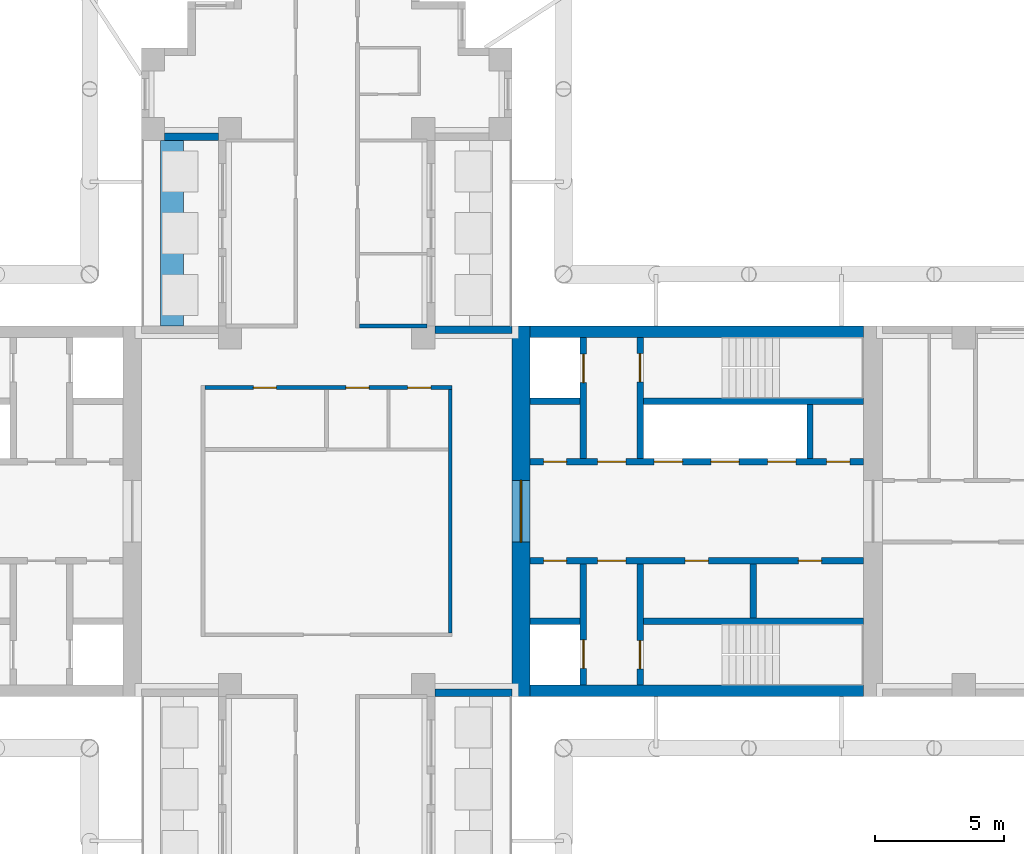
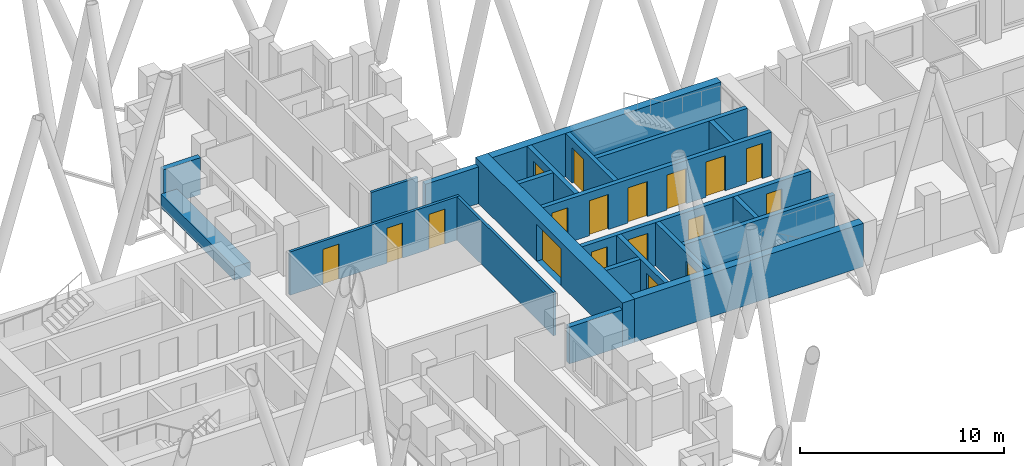
# One storey, part 6 of 12: 22 walls, 18 doors, 18 openings.
"""IFC4 building model written with IfcOpenShell, lengths in metres."""

from ifc_helpers import new_model, si_unit, direction, frame, frame_2d, origin, place, context, subcontext, project, spatial, rectangle, extrude, material, layer, layer_set, type_object, element, fill, save


model = new_model("IFC4")

# Units and contexts
model_context = context("Model", 3, precision=1e-05, world=origin(), true_north=direction((0.0, 1.0)))
body_context = subcontext(model_context, "Body", "Model", "MODEL_VIEW")
ifc_project = project(units=[si_unit("LENGTHUNIT", "METRE"), si_unit("AREAUNIT", "SQUARE_METRE"), si_unit("VOLUMEUNIT", "CUBIC_METRE"), si_unit("PLANEANGLEUNIT", "RADIAN"), si_unit("MASSUNIT", "GRAM", prefix="KILO")], contexts=[model_context])

# Site, building, storey
site_placement = place(None, origin())
site = spatial("IfcSite", under=ifc_project, at=site_placement, CompositionType="ELEMENT")
building_placement = place(site_placement, origin())
building = spatial("IfcBuilding", under=site, at=building_placement, Name="Fustian Cross Tower", CompositionType="ELEMENT")
storey_placement = place(building_placement, frame((0.0, 0.0, 141.300048828125)))
storey = spatial("IfcBuildingStorey", under=building, at=storey_placement, Name="L44", CompositionType="ELEMENT", Elevation=141.300048828125)

# Wall, openings, doors
ifc_material_1 = material(Name="Plasterboard on steel stud", Category="steel")
ifc_layer_1 = layer(ifc_material_1, 0.14990234375)
ifc_layer_set_1 = layer_set([ifc_layer_1], Name="Plasterboard on steel stud")
wall_type_1 = type_object("IfcWallType", Name="COMPARTMENT WALL 150 EI 60", PredefinedType="PARTITIONING", material=ifc_layer_set_1)
wall_1_placement = place(storey_placement, frame((-4.72509765625, 4.800048828125, 0.0), z_axis=(0.0, 0.0, 1.0), x_axis=(1.0, 0.0, 0.0)))
wall_1 = element("IfcWall", 1, at=wall_1_placement, inside=storey, type_object=wall_type_1, Name="Partition 15", PredefinedType="PARTITIONING", context=body_context, shape_type="SweptSolid", body=[
    extrude(rectangle(XDim=9.60009765625, YDim=0.14990234375, at=frame_2d((4.800048828125, 0.0))), origin(), (0.0, 0.0, 1.0), 2.599853515625),
])
opening_1_placement = place(wall_1_placement, frame((7.875, 0.0, 0.0)))
opening_1 = element("IfcOpeningElement", 2, at=opening_1_placement, cuts=wall_1, Name="Opening D20001", PredefinedType="OPENING", context=body_context, shape_type="SweptSolid", body=[
    extrude(rectangle(XDim=0.89990234375, YDim=2.10009765625, at=frame_2d((0.449951171875, 1.050048828125))), frame((0.0, 0.0849609375, 0.0), z_axis=(0.0, -1.0, 0.0), x_axis=(1.0, 0.0, 0.0)), (0.0, 0.0, 1.0), 0.169921875),
])
opening_2_placement = place(wall_1_placement, frame((5.47509765625, 0.0, 0.0)))
opening_2 = element("IfcOpeningElement", 3, at=opening_2_placement, cuts=wall_1, Name="Opening D20002", PredefinedType="OPENING", context=body_context, shape_type="SweptSolid", body=[
    extrude(rectangle(XDim=0.89990234375, YDim=2.10009765625, at=frame_2d((0.449951171875, 1.050048828125))), frame((0.0, 0.0849609375, 0.0), z_axis=(0.0, -1.0, 0.0), x_axis=(1.0, 0.0, 0.0)), (0.0, 0.0, 1.0), 0.169921875),
])
opening_3_placement = place(wall_1_placement, frame((1.875, 0.0, 0.0)))
opening_3 = element("IfcOpeningElement", 4, at=opening_3_placement, cuts=wall_1, Name="Opening D20003", PredefinedType="OPENING", context=body_context, shape_type="SweptSolid", body=[
    extrude(rectangle(XDim=0.89990234375, YDim=2.10009765625, at=frame_2d((0.449951171875, 1.050048828125))), frame((0.0, 0.0849609375, 0.0), z_axis=(0.0, -1.0, 0.0), x_axis=(1.0, 0.0, 0.0)), (0.0, 0.0, 1.0), 0.169921875),
])
ifc_material_2 = material(Name="Timber fire door set", Category="wood")
door_type_1 = type_object("IfcDoorType", Name="FIRE SWING DOOR 900 FD30S", OperationType="SINGLE_SWING_LEFT", PredefinedType="DOOR", material=ifc_material_2)
door_1_placement = place(opening_1_placement, frame((0.89990234375, 0.0, 0.0), z_axis=(0.0, 0.0, 1.0), x_axis=(-1.0, 0.0, 0.0)))
door_1 = element("IfcDoor", 5, at=door_1_placement, inside=storey, type_object=door_type_1, Name="Door D20001", OperationType="SINGLE_SWING_RIGHT", OverallHeight=2.10009765625, OverallWidth=0.89990234375, PredefinedType="DOOR", context=body_context, shape_type="SweptSolid", body=[
    extrude(rectangle(XDim=0.89990234375, YDim=2.10009765625, at=frame_2d((0.449951171875, 1.050048828125))), frame((0.0, 0.02490234375, 0.0), z_axis=(0.0, -1.0, 0.0), x_axis=(1.0, 0.0, 0.0)), (0.0, 0.0, 1.0), 0.050048828125),
])
fill(opening_1, door_1)
door_2_placement = place(opening_2_placement, frame((0.89990234375, 0.0, 0.0), z_axis=(0.0, 0.0, 1.0), x_axis=(-1.0, 0.0, 0.0)))
door_2 = element("IfcDoor", 6, at=door_2_placement, inside=storey, type_object=door_type_1, Name="Door D20002", OperationType="SINGLE_SWING_RIGHT", OverallHeight=2.10009765625, OverallWidth=0.89990234375, PredefinedType="DOOR", context=body_context, shape_type="SweptSolid", body=[
    extrude(rectangle(XDim=0.89990234375, YDim=2.10009765625, at=frame_2d((0.449951171875, 1.050048828125))), frame((0.0, 0.02490234375, 0.0), z_axis=(0.0, -1.0, 0.0), x_axis=(1.0, 0.0, 0.0)), (0.0, 0.0, 1.0), 0.050048828125),
])
fill(opening_2, door_2)
door_3_placement = place(opening_3_placement, frame((0.89990234375, 0.0, 0.0), z_axis=(0.0, 0.0, 1.0), x_axis=(-1.0, 0.0, 0.0)))
door_3 = element("IfcDoor", 7, at=door_3_placement, inside=storey, type_object=door_type_1, Name="Door D20003", OperationType="SINGLE_SWING_RIGHT", OverallHeight=2.10009765625, OverallWidth=0.89990234375, PredefinedType="DOOR", context=body_context, shape_type="SweptSolid", body=[
    extrude(rectangle(XDim=0.89990234375, YDim=2.10009765625, at=frame_2d((0.449951171875, 1.050048828125))), frame((0.0, 0.02490234375, 0.0), z_axis=(0.0, -1.0, 0.0), x_axis=(1.0, 0.0, 0.0)), (0.0, 0.0, 1.0), 0.050048828125),
])
fill(opening_3, door_3)

# Walls
wall_2_placement = place(storey_placement, frame((1.27490234375, 7.199951171875, 0.0), z_axis=(0.0, 0.0, 1.0), x_axis=(1.0, 0.0, 0.0)))
element("IfcWall", 8, at=wall_2_placement, inside=storey, type_object=wall_type_1, Name="Partition 28", PredefinedType="PARTITIONING", context=body_context, shape_type="SweptSolid", body=[
    extrude(rectangle(XDim=2.625, YDim=0.14990234375, at=frame_2d((1.3125, 0.0))), origin(), (0.0, 0.0, 1.0), 2.599853515625),
])
wall_3_placement = place(storey_placement, frame((4.800048828125, -4.72509765625, 0.0), z_axis=(0.0, 0.0, 1.0), x_axis=(0.0, 1.0, 0.0)))
element("IfcWall", 9, at=wall_3_placement, inside=storey, type_object=wall_type_1, Name="Partition 35", PredefinedType="PARTITIONING", context=body_context, shape_type="SweptSolid", body=[
    extrude(rectangle(XDim=9.4501953125, YDim=0.14990234375, at=frame_2d((4.72509765625, 0.0))), origin(), (0.0, 0.0, 1.0), 2.599853515625),
])

# Wall, opening, door
ifc_material_3 = material(Name="Concrete C60/75", Category="concrete")
ifc_layer_2 = layer(ifc_material_3, 0.699951171875)
ifc_layer_set_2 = layer_set([ifc_layer_2], Name="Concrete C60/75")
wall_type_2 = type_object("IfcWallType", Name="CORE END WALL 700 C60/75", PredefinedType="SHEAR", material=ifc_layer_set_2)
wall_4_placement = place(storey_placement, frame((7.550048828125, -7.199951171875, 0.0), z_axis=(0.0, 0.0, 1.0), x_axis=(0.0, 1.0, 0.0)))
wall_4 = element("IfcWall", 10, at=wall_4_placement, inside=storey, type_object=wall_type_2, Name="Core end wall", PredefinedType="SHEAR", context=body_context, shape_type="SweptSolid", body=[
    extrude(rectangle(XDim=14.39990234375, YDim=0.699951171875, at=frame_2d((7.199951171875, 0.0))), origin(), (0.0, 0.0, 1.0), 2.599853515625),
])
opening_4_placement = place(wall_4_placement, frame((6.0, 0.0, 0.0)))
opening_4 = element("IfcOpeningElement", 11, at=opening_4_placement, cuts=wall_4, Name="Opening CD-18-12", PredefinedType="OPENING", context=body_context, shape_type="SweptSolid", body=[
    extrude(rectangle(XDim=2.39990234375, YDim=2.199951171875, at=frame_2d((1.199951171875, 1.10009765625))), frame((0.0, 0.35986328125, 0.0), z_axis=(0.0, -1.0, 0.0), x_axis=(1.0, 0.0, 0.0)), (0.0, 0.0, 1.0), 0.719970703125),
])
ifc_material_4 = material(Name="Steel", Category="steel")
door_type_2 = type_object("IfcDoorType", Name="FIRE DOOR FD30S DOUBLE 2400X2200", OperationType="DOUBLE_DOOR_DOUBLE_SWING", PredefinedType="DOOR", material=ifc_material_4)
door_4_placement = place(opening_4_placement, origin())
door_4 = element("IfcDoor", 12, at=door_4_placement, inside=storey, type_object=door_type_2, Name="Core door CD-18-12", OperationType="DOUBLE_DOOR_DOUBLE_SWING", OverallHeight=2.199951171875, OverallWidth=2.39990234375, PredefinedType="DOOR", context=body_context, shape_type="SweptSolid", body=[
    extrude(rectangle(XDim=2.39990234375, YDim=2.199951171875, at=frame_2d((1.199951171875, 1.10009765625))), frame((0.0, 0.02490234375, 0.0), z_axis=(0.0, -1.0, 0.0), x_axis=(1.0, 0.0, 0.0)), (0.0, 0.0, 1.0), 0.050048828125),
])
fill(opening_4, door_4)

# Walls
ifc_material_5 = material(Name="Concrete C60/75", Category="concrete")
ifc_layer_3 = layer(ifc_material_5, 0.449951171875)
ifc_layer_set_3 = layer_set([ifc_layer_3], Name="Concrete C60/75")
wall_type_3 = type_object("IfcWallType", Name="CORE FACADE WALL 450 C60/75", PredefinedType="SHEAR", material=ifc_layer_set_3)
for number, where, z_axis, x_axis, name in (
    (13, (7.89990234375, 6.97509765625, 0.0), (0.0, 0.0, 1.0), (1.0, 0.0, 0.0), "Core facade wall"),
    (14, (7.89990234375, -6.97509765625, 0.0), (0.0, 0.0, 1.0), (1.0, 0.0, 0.0), "Core facade wall"),
):
    element("IfcWall", number, at=place(storey_placement, frame(where, z_axis=z_axis, x_axis=x_axis)), inside=storey, type_object=wall_type_3, Name=name, PredefinedType="SHEAR", context=body_context, shape_type="SweptSolid", body=[
        extrude(rectangle(XDim=12.9501953125, YDim=0.449951171875, at=frame_2d((6.47509765625, 0.0))), origin(), (0.0, 0.0, 1.0), 2.599853515625),
    ])

# Wall, openings, doors
ifc_material_6 = material(Name="Concrete C50/60", Category="concrete")
ifc_layer_4 = layer(ifc_material_6, 0.25)
ifc_layer_set_4 = layer_set([ifc_layer_4], Name="Concrete C50/60")
wall_type_4 = type_object("IfcWallType", Name="CORE LOBBY WALL 250 C50/60", PredefinedType="SHEAR", material=ifc_layer_set_4)
wall_5_placement = place(storey_placement, frame((7.89990234375, 1.925048828125, 0.0), z_axis=(0.0, 0.0, 1.0), x_axis=(1.0, 0.0, 0.0)))
wall_5 = element("IfcWall", 15, at=wall_5_placement, inside=storey, type_object=wall_type_4, Name="Core lobby wall", PredefinedType="SHEAR", context=body_context, shape_type="SweptSolid", body=[
    extrude(rectangle(XDim=12.9501953125, YDim=0.25, at=frame_2d((6.47509765625, 0.0))), origin(), (0.0, 0.0, 1.0), 2.599853515625),
])
opening_5_placement = place(wall_5_placement, frame((4.824951171875, 0.0, 0.0)))
opening_5 = element("IfcOpeningElement", 16, at=opening_5_placement, cuts=wall_5, Name="Opening LD", PredefinedType="OPENING", context=body_context, shape_type="SweptSolid", body=[
    extrude(rectangle(XDim=1.10009765625, YDim=2.10009765625, at=frame_2d((0.550048828125, 1.050048828125))), frame((0.0, 0.135009765625, 0.0), z_axis=(0.0, -1.0, 0.0), x_axis=(1.0, 0.0, 0.0)), (0.0, 0.0, 1.0), 0.27001953125),
])
opening_6_placement = place(wall_5_placement, frame((7.02490234375, 0.0, 0.0)))
opening_6 = element("IfcOpeningElement", 17, at=opening_6_placement, cuts=wall_5, Name="Opening LD", PredefinedType="OPENING", context=body_context, shape_type="SweptSolid", body=[
    extrude(rectangle(XDim=1.10009765625, YDim=2.10009765625, at=frame_2d((0.550048828125, 1.050048828125))), frame((0.0, 0.135009765625, 0.0), z_axis=(0.0, -1.0, 0.0), x_axis=(1.0, 0.0, 0.0)), (0.0, 0.0, 1.0), 0.27001953125),
])
opening_7_placement = place(wall_5_placement, frame((9.22509765625, 0.0, 0.0)))
opening_7 = element("IfcOpeningElement", 18, at=opening_7_placement, cuts=wall_5, Name="Opening LD", PredefinedType="OPENING", context=body_context, shape_type="SweptSolid", body=[
    extrude(rectangle(XDim=1.10009765625, YDim=2.10009765625, at=frame_2d((0.550048828125, 1.050048828125))), frame((0.0, 0.135009765625, 0.0), z_axis=(0.0, -1.0, 0.0), x_axis=(1.0, 0.0, 0.0)), (0.0, 0.0, 1.0), 0.27001953125),
])
opening_8_placement = place(wall_5_placement, frame((0.52490234375, 0.0, 0.0)))
opening_8 = element("IfcOpeningElement", 19, at=opening_8_placement, cuts=wall_5, Name="Opening CD-18-08", PredefinedType="OPENING", context=body_context, shape_type="SweptSolid", body=[
    extrude(rectangle(XDim=0.89990234375, YDim=2.10009765625, at=frame_2d((0.449951171875, 1.050048828125))), frame((0.0, 0.135009765625, 0.0), z_axis=(0.0, -1.0, 0.0), x_axis=(1.0, 0.0, 0.0)), (0.0, 0.0, 1.0), 0.27001953125),
])
opening_9_placement = place(wall_5_placement, frame((2.625, 0.0, 0.0)))
opening_9 = element("IfcOpeningElement", 20, at=opening_9_placement, cuts=wall_5, Name="Opening CD-18-10", PredefinedType="OPENING", context=body_context, shape_type="SweptSolid", body=[
    extrude(rectangle(XDim=1.10009765625, YDim=2.10009765625, at=frame_2d((0.550048828125, 1.050048828125))), frame((0.0, 0.135009765625, 0.0), z_axis=(0.0, -1.0, 0.0), x_axis=(1.0, 0.0, 0.0)), (0.0, 0.0, 1.0), 0.27001953125),
])
opening_10_placement = place(wall_5_placement, frame((11.52490234375, 0.0, 0.0)))
opening_10 = element("IfcOpeningElement", 21, at=opening_10_placement, cuts=wall_5, Name="Opening CD-18-14", PredefinedType="OPENING", context=body_context, shape_type="SweptSolid", body=[
    extrude(rectangle(XDim=0.89990234375, YDim=2.10009765625, at=frame_2d((0.449951171875, 1.050048828125))), frame((0.0, 0.135009765625, 0.0), z_axis=(0.0, -1.0, 0.0), x_axis=(1.0, 0.0, 0.0)), (0.0, 0.0, 1.0), 0.27001953125),
])
ifc_material_7 = material(Name="Steel", Category="steel")
door_type_3 = type_object("IfcDoorType", Name="FIRE DOOR FD30S 900X2100", OperationType="SINGLE_SWING_LEFT", PredefinedType="DOOR", material=ifc_material_7)
door_5_placement = place(opening_10_placement, origin())
door_5 = element("IfcDoor", 22, at=door_5_placement, inside=storey, type_object=door_type_3, Name="Core door CD-18-14", OperationType="SINGLE_SWING_LEFT", OverallHeight=2.10009765625, OverallWidth=0.89990234375, PredefinedType="DOOR", context=body_context, shape_type="SweptSolid", body=[
    extrude(rectangle(XDim=0.89990234375, YDim=2.10009765625, at=frame_2d((0.449951171875, 1.050048828125))), frame((0.0, 0.02490234375, 0.0), z_axis=(0.0, -1.0, 0.0), x_axis=(1.0, 0.0, 0.0)), (0.0, 0.0, 1.0), 0.050048828125),
])
fill(opening_10, door_5)
ifc_material_8 = material(Name="Steel", Category="steel")
door_type_4 = type_object("IfcDoorType", Name="FIRE DOOR FD60S 1100X2100", OperationType="SINGLE_SWING_LEFT", PredefinedType="DOOR", material=ifc_material_8)
door_6_placement = place(opening_9_placement, frame((1.10009765625, 0.0, 0.0), z_axis=(0.0, 0.0, 1.0), x_axis=(-1.0, 0.0, 0.0)))
door_6 = element("IfcDoor", 23, at=door_6_placement, inside=storey, type_object=door_type_4, Name="Core door CD-18-10", OperationType="SINGLE_SWING_RIGHT", OverallHeight=2.10009765625, OverallWidth=1.10009765625, PredefinedType="DOOR", context=body_context, shape_type="SweptSolid", body=[
    extrude(rectangle(XDim=1.10009765625, YDim=2.10009765625, at=frame_2d((0.550048828125, 1.050048828125))), frame((0.0, 0.02490234375, 0.0), z_axis=(0.0, -1.0, 0.0), x_axis=(1.0, 0.0, 0.0)), (0.0, 0.0, 1.0), 0.050048828125),
])
fill(opening_9, door_6)
ifc_material_9 = material(Name="Steel", Category="steel")
door_type_5 = type_object("IfcDoorType", Name="FIRE DOOR FD60S 900X2100", OperationType="SINGLE_SWING_LEFT", PredefinedType="DOOR", material=ifc_material_9)
door_7_placement = place(opening_8_placement, origin())
door_7 = element("IfcDoor", 24, at=door_7_placement, inside=storey, type_object=door_type_5, Name="Core door CD-18-08", OperationType="SINGLE_SWING_LEFT", OverallHeight=2.10009765625, OverallWidth=0.89990234375, PredefinedType="DOOR", context=body_context, shape_type="SweptSolid", body=[
    extrude(rectangle(XDim=0.89990234375, YDim=2.10009765625, at=frame_2d((0.449951171875, 1.050048828125))), frame((0.0, 0.02490234375, 0.0), z_axis=(0.0, -1.0, 0.0), x_axis=(1.0, 0.0, 0.0)), (0.0, 0.0, 1.0), 0.050048828125),
])
fill(opening_8, door_7)
ifc_material_10 = material(Name="Stainless steel", Category="steel")
door_type_6 = type_object("IfcDoorType", Name="LIFT LANDING DOOR 1100X2100", OperationType="SLIDING_TO_LEFT", PredefinedType="DOOR", material=ifc_material_10)
door_8_placement = place(opening_5_placement, origin())
door_8 = element("IfcDoor", 25, at=door_8_placement, inside=storey, type_object=door_type_6, Name="Landing door HR1", OperationType="SLIDING_TO_LEFT", OverallHeight=2.10009765625, OverallWidth=1.10009765625, PredefinedType="DOOR", context=body_context, shape_type="SweptSolid", body=[
    extrude(rectangle(XDim=1.10009765625, YDim=2.10009765625, at=frame_2d((0.550048828125, 1.050048828125))), frame((0.0, 0.02490234375, 0.0), z_axis=(0.0, -1.0, 0.0), x_axis=(1.0, 0.0, 0.0)), (0.0, 0.0, 1.0), 0.050048828125),
])
fill(opening_5, door_8)
door_9_placement = place(opening_6_placement, origin())
door_9 = element("IfcDoor", 26, at=door_9_placement, inside=storey, type_object=door_type_6, Name="Landing door HR2", OperationType="SLIDING_TO_LEFT", OverallHeight=2.10009765625, OverallWidth=1.10009765625, PredefinedType="DOOR", context=body_context, shape_type="SweptSolid", body=[
    extrude(rectangle(XDim=1.10009765625, YDim=2.10009765625, at=frame_2d((0.550048828125, 1.050048828125))), frame((0.0, 0.02490234375, 0.0), z_axis=(0.0, -1.0, 0.0), x_axis=(1.0, 0.0, 0.0)), (0.0, 0.0, 1.0), 0.050048828125),
])
fill(opening_6, door_9)
door_10_placement = place(opening_7_placement, origin())
door_10 = element("IfcDoor", 27, at=door_10_placement, inside=storey, type_object=door_type_6, Name="Landing door HR3", OperationType="SLIDING_TO_LEFT", OverallHeight=2.10009765625, OverallWidth=1.10009765625, PredefinedType="DOOR", context=body_context, shape_type="SweptSolid", body=[
    extrude(rectangle(XDim=1.10009765625, YDim=2.10009765625, at=frame_2d((0.550048828125, 1.050048828125))), frame((0.0, 0.02490234375, 0.0), z_axis=(0.0, -1.0, 0.0), x_axis=(1.0, 0.0, 0.0)), (0.0, 0.0, 1.0), 0.050048828125),
])
fill(opening_7, door_10)

wall_6_placement = place(storey_placement, frame((7.89990234375, -1.925048828125, 0.0), z_axis=(0.0, 0.0, 1.0), x_axis=(1.0, 0.0, 0.0)))
wall_6 = element("IfcWall", 28, at=wall_6_placement, inside=storey, type_object=wall_type_4, Name="Core lobby wall", PredefinedType="SHEAR", context=body_context, shape_type="SweptSolid", body=[
    extrude(rectangle(XDim=12.9501953125, YDim=0.25, at=frame_2d((6.47509765625, 0.0))), origin(), (0.0, 0.0, 1.0), 2.599853515625),
])
opening_11_placement = place(wall_6_placement, frame((0.52490234375, 0.0, 0.0)))
opening_11 = element("IfcOpeningElement", 29, at=opening_11_placement, cuts=wall_6, Name="Opening CD-18-09", PredefinedType="OPENING", context=body_context, shape_type="SweptSolid", body=[
    extrude(rectangle(XDim=0.89990234375, YDim=2.10009765625, at=frame_2d((0.449951171875, 1.050048828125))), frame((0.0, 0.135009765625, 0.0), z_axis=(0.0, -1.0, 0.0), x_axis=(1.0, 0.0, 0.0)), (0.0, 0.0, 1.0), 0.27001953125),
])
opening_12_placement = place(wall_6_placement, frame((2.625, 0.0, 0.0)))
opening_12 = element("IfcOpeningElement", 30, at=opening_12_placement, cuts=wall_6, Name="Opening CD-18-11", PredefinedType="OPENING", context=body_context, shape_type="SweptSolid", body=[
    extrude(rectangle(XDim=1.10009765625, YDim=2.10009765625, at=frame_2d((0.550048828125, 1.050048828125))), frame((0.0, 0.135009765625, 0.0), z_axis=(0.0, -1.0, 0.0), x_axis=(1.0, 0.0, 0.0)), (0.0, 0.0, 1.0), 0.27001953125),
])
opening_13_placement = place(wall_6_placement, frame((6.02490234375, 0.0, 0.0)))
opening_13 = element("IfcOpeningElement", 31, at=opening_13_placement, cuts=wall_6, Name="Opening CD-18-15", PredefinedType="OPENING", context=body_context, shape_type="SweptSolid", body=[
    extrude(rectangle(XDim=0.89990234375, YDim=2.10009765625, at=frame_2d((0.449951171875, 1.050048828125))), frame((0.0, 0.135009765625, 0.0), z_axis=(0.0, -1.0, 0.0), x_axis=(1.0, 0.0, 0.0)), (0.0, 0.0, 1.0), 0.27001953125),
])
opening_14_placement = place(wall_6_placement, frame((10.425048828125, 0.0, 0.0)))
opening_14 = element("IfcOpeningElement", 32, at=opening_14_placement, cuts=wall_6, Name="Opening CD-18-16", PredefinedType="OPENING", context=body_context, shape_type="SweptSolid", body=[
    extrude(rectangle(XDim=0.89990234375, YDim=2.10009765625, at=frame_2d((0.449951171875, 1.050048828125))), frame((0.0, 0.135009765625, 0.0), z_axis=(0.0, -1.0, 0.0), x_axis=(1.0, 0.0, 0.0)), (0.0, 0.0, 1.0), 0.27001953125),
])
ifc_material_11 = material(Name="Steel", Category="steel")
door_type_7 = type_object("IfcDoorType", Name="FIRE DOOR FD30S 1100X2100", OperationType="SINGLE_SWING_LEFT", PredefinedType="DOOR", material=ifc_material_11)
door_11_placement = place(opening_12_placement, frame((1.10009765625, 0.0, 0.0), z_axis=(0.0, 0.0, 1.0), x_axis=(-1.0, 0.0, 0.0)))
door_11 = element("IfcDoor", 33, at=door_11_placement, inside=storey, type_object=door_type_7, Name="Core door CD-18-11", OperationType="SINGLE_SWING_RIGHT", OverallHeight=2.10009765625, OverallWidth=1.10009765625, PredefinedType="DOOR", context=body_context, shape_type="SweptSolid", body=[
    extrude(rectangle(XDim=1.10009765625, YDim=2.10009765625, at=frame_2d((0.550048828125, 1.050048828125))), frame((0.0, 0.02490234375, 0.0), z_axis=(0.0, -1.0, 0.0), x_axis=(1.0, 0.0, 0.0)), (0.0, 0.0, 1.0), 0.050048828125),
])
fill(opening_12, door_11)
door_12_placement = place(opening_11_placement, frame((0.89990234375, 0.0, 0.0), z_axis=(0.0, 0.0, 1.0), x_axis=(-1.0, 0.0, 0.0)))
door_12 = element("IfcDoor", 34, at=door_12_placement, inside=storey, type_object=door_type_3, Name="Core door CD-18-09", OperationType="SINGLE_SWING_RIGHT", OverallHeight=2.10009765625, OverallWidth=0.89990234375, PredefinedType="DOOR", context=body_context, shape_type="SweptSolid", body=[
    extrude(rectangle(XDim=0.89990234375, YDim=2.10009765625, at=frame_2d((0.449951171875, 1.050048828125))), frame((0.0, 0.02490234375, 0.0), z_axis=(0.0, -1.0, 0.0), x_axis=(1.0, 0.0, 0.0)), (0.0, 0.0, 1.0), 0.050048828125),
])
fill(opening_11, door_12)
door_13_placement = place(opening_13_placement, frame((0.89990234375, 0.0, 0.0), z_axis=(0.0, 0.0, 1.0), x_axis=(-1.0, 0.0, 0.0)))
door_13 = element("IfcDoor", 35, at=door_13_placement, inside=storey, type_object=door_type_3, Name="Core door CD-18-15", OperationType="SINGLE_SWING_LEFT", OverallHeight=2.10009765625, OverallWidth=0.89990234375, PredefinedType="DOOR", context=body_context, shape_type="SweptSolid", body=[
    extrude(rectangle(XDim=0.89990234375, YDim=2.10009765625, at=frame_2d((0.449951171875, 1.050048828125))), frame((0.0, 0.02490234375, 0.0), z_axis=(0.0, -1.0, 0.0), x_axis=(1.0, 0.0, 0.0)), (0.0, 0.0, 1.0), 0.050048828125),
])
fill(opening_13, door_13)
door_14_placement = place(opening_14_placement, frame((0.89990234375, 0.0, 0.0), z_axis=(0.0, 0.0, 1.0), x_axis=(-1.0, 0.0, 0.0)))
door_14 = element("IfcDoor", 36, at=door_14_placement, inside=storey, type_object=door_type_3, Name="Core door CD-18-16", OperationType="SINGLE_SWING_LEFT", OverallHeight=2.10009765625, OverallWidth=0.89990234375, PredefinedType="DOOR", context=body_context, shape_type="SweptSolid", body=[
    extrude(rectangle(XDim=0.89990234375, YDim=2.10009765625, at=frame_2d((0.449951171875, 1.050048828125))), frame((0.0, 0.02490234375, 0.0), z_axis=(0.0, -1.0, 0.0), x_axis=(1.0, 0.0, 0.0)), (0.0, 0.0, 1.0), 0.050048828125),
])
fill(opening_14, door_14)

# Walls
ifc_material_12 = material(Name="Concrete C50/60", Category="concrete")
ifc_layer_5 = layer(ifc_material_12, 0.25)
ifc_layer_set_5 = layer_set([ifc_layer_5], Name="Concrete C50/60")
wall_type_5 = type_object("IfcWallType", Name="CORE SHAFT WALL 250 C50/60", PredefinedType="SHEAR", material=ifc_layer_set_5)
wall_7_placement = place(storey_placement, frame((7.89990234375, 4.27490234375, 0.0), z_axis=(0.0, 0.0, 1.0), x_axis=(1.0, 0.0, 0.0)))
element("IfcWall", 37, at=wall_7_placement, inside=storey, type_object=wall_type_5, Name="Core shaft wall", PredefinedType="SHEAR", context=body_context, shape_type="SweptSolid", body=[
    extrude(rectangle(XDim=1.9501953125, YDim=0.25, at=frame_2d((0.97509765625, 0.0))), origin(), (0.0, 0.0, 1.0), 2.599853515625),
])
wall_8_placement = place(storey_placement, frame((12.300048828125, 4.27490234375, 0.0), z_axis=(0.0, 0.0, 1.0), x_axis=(1.0, 0.0, 0.0)))
element("IfcWall", 38, at=wall_8_placement, inside=storey, type_object=wall_type_5, Name="Core shaft wall", PredefinedType="SHEAR", context=body_context, shape_type="SweptSolid", body=[
    extrude(rectangle(XDim=8.550048828125, YDim=0.25, at=frame_2d((4.27490234375, 0.0))), origin(), (0.0, 0.0, 1.0), 2.599853515625),
])

# Wall, opening, door
wall_9_placement = place(storey_placement, frame((9.97509765625, 2.050048828125, 0.0), z_axis=(0.0, 0.0, 1.0), x_axis=(0.0, 1.0, 0.0)))
wall_9 = element("IfcWall", 39, at=wall_9_placement, inside=storey, type_object=wall_type_5, Name="Core shaft wall", PredefinedType="SHEAR", context=body_context, shape_type="SweptSolid", body=[
    extrude(rectangle(XDim=4.699951171875, YDim=0.25, at=frame_2d((2.35009765625, 0.0))), origin(), (0.0, 0.0, 1.0), 2.599853515625),
])
opening_15_placement = place(wall_9_placement, frame((2.949951171875, 0.0, 0.0)))
opening_15 = element("IfcOpeningElement", 40, at=opening_15_placement, cuts=wall_9, Name="Opening LD", PredefinedType="OPENING", context=body_context, shape_type="SweptSolid", body=[
    extrude(rectangle(XDim=1.10009765625, YDim=2.10009765625, at=frame_2d((0.550048828125, 1.050048828125))), frame((0.0, 0.135009765625, 0.0), z_axis=(0.0, -1.0, 0.0), x_axis=(1.0, 0.0, 0.0)), (0.0, 0.0, 1.0), 0.27001953125),
])
door_15_placement = place(opening_15_placement, origin())
door_15 = element("IfcDoor", 41, at=door_15_placement, inside=storey, type_object=door_type_6, Name="Landing door FL1", OperationType="SLIDING_TO_LEFT", OverallHeight=2.10009765625, OverallWidth=1.10009765625, PredefinedType="DOOR", context=body_context, shape_type="SweptSolid", body=[
    extrude(rectangle(XDim=1.10009765625, YDim=2.10009765625, at=frame_2d((0.550048828125, 1.050048828125))), frame((0.0, 0.02490234375, 0.0), z_axis=(0.0, -1.0, 0.0), x_axis=(1.0, 0.0, 0.0)), (0.0, 0.0, 1.0), 0.050048828125),
])
fill(opening_15, door_15)

wall_10_placement = place(storey_placement, frame((12.175048828125, 2.050048828125, 0.0), z_axis=(0.0, 0.0, 1.0), x_axis=(0.0, 1.0, 0.0)))
wall_10 = element("IfcWall", 42, at=wall_10_placement, inside=storey, type_object=wall_type_5, Name="Core shaft wall", PredefinedType="SHEAR", context=body_context, shape_type="SweptSolid", body=[
    extrude(rectangle(XDim=4.699951171875, YDim=0.25, at=frame_2d((2.35009765625, 0.0))), origin(), (0.0, 0.0, 1.0), 2.599853515625),
])
opening_16_placement = place(wall_10_placement, frame((2.97509765625, 0.0, 0.0)))
opening_16 = element("IfcOpeningElement", 43, at=opening_16_placement, cuts=wall_10, Name="Opening CD-18-06", PredefinedType="OPENING", context=body_context, shape_type="SweptSolid", body=[
    extrude(rectangle(XDim=1.10009765625, YDim=2.10009765625, at=frame_2d((0.550048828125, 1.050048828125))), frame((0.0, 0.135009765625, 0.0), z_axis=(0.0, -1.0, 0.0), x_axis=(1.0, 0.0, 0.0)), (0.0, 0.0, 1.0), 0.27001953125),
])
door_16_placement = place(opening_16_placement, frame((1.10009765625, 0.0, 0.0), z_axis=(0.0, 0.0, 1.0), x_axis=(-1.0, 0.0, 0.0)))
door_16 = element("IfcDoor", 44, at=door_16_placement, inside=storey, type_object=door_type_4, Name="Core door CD-18-06", OperationType="SINGLE_SWING_RIGHT", OverallHeight=2.10009765625, OverallWidth=1.10009765625, PredefinedType="DOOR", context=body_context, shape_type="SweptSolid", body=[
    extrude(rectangle(XDim=1.10009765625, YDim=2.10009765625, at=frame_2d((0.550048828125, 1.050048828125))), frame((0.0, 0.02490234375, 0.0), z_axis=(0.0, -1.0, 0.0), x_axis=(1.0, 0.0, 0.0)), (0.0, 0.0, 1.0), 0.050048828125),
])
fill(opening_16, door_16)

# Walls
wall_11_placement = place(storey_placement, frame((7.89990234375, -4.27490234375, 0.0), z_axis=(0.0, 0.0, 1.0), x_axis=(1.0, 0.0, 0.0)))
element("IfcWall", 45, at=wall_11_placement, inside=storey, type_object=wall_type_5, Name="Core shaft wall", PredefinedType="SHEAR", context=body_context, shape_type="SweptSolid", body=[
    extrude(rectangle(XDim=1.9501953125, YDim=0.25, at=frame_2d((0.97509765625, 0.0))), origin(), (0.0, 0.0, 1.0), 2.599853515625),
])
wall_12_placement = place(storey_placement, frame((12.300048828125, -4.27490234375, 0.0), z_axis=(0.0, 0.0, 1.0), x_axis=(1.0, 0.0, 0.0)))
element("IfcWall", 46, at=wall_12_placement, inside=storey, type_object=wall_type_5, Name="Core shaft wall", PredefinedType="SHEAR", context=body_context, shape_type="SweptSolid", body=[
    extrude(rectangle(XDim=8.550048828125, YDim=0.25, at=frame_2d((4.27490234375, 0.0))), origin(), (0.0, 0.0, 1.0), 2.599853515625),
])

# Wall, opening, door
wall_13_placement = place(storey_placement, frame((9.97509765625, -2.050048828125, 0.0), z_axis=(0.0, 0.0, 1.0), x_axis=(0.0, -1.0, 0.0)))
wall_13 = element("IfcWall", 47, at=wall_13_placement, inside=storey, type_object=wall_type_5, Name="Core shaft wall", PredefinedType="SHEAR", context=body_context, shape_type="SweptSolid", body=[
    extrude(rectangle(XDim=4.699951171875, YDim=0.25, at=frame_2d((2.35009765625, 0.0))), origin(), (0.0, 0.0, 1.0), 2.599853515625),
])
opening_17_placement = place(wall_13_placement, frame((2.949951171875, 0.0, 0.0)))
opening_17 = element("IfcOpeningElement", 48, at=opening_17_placement, cuts=wall_13, Name="Opening LD", PredefinedType="OPENING", context=body_context, shape_type="SweptSolid", body=[
    extrude(rectangle(XDim=1.10009765625, YDim=2.10009765625, at=frame_2d((0.550048828125, 1.050048828125))), frame((0.0, 0.135009765625, 0.0), z_axis=(0.0, -1.0, 0.0), x_axis=(1.0, 0.0, 0.0)), (0.0, 0.0, 1.0), 0.27001953125),
])
door_17_placement = place(opening_17_placement, origin())
door_17 = element("IfcDoor", 49, at=door_17_placement, inside=storey, type_object=door_type_6, Name="Landing door SV1", OperationType="SLIDING_TO_LEFT", OverallHeight=2.10009765625, OverallWidth=1.10009765625, PredefinedType="DOOR", context=body_context, shape_type="SweptSolid", body=[
    extrude(rectangle(XDim=1.10009765625, YDim=2.10009765625, at=frame_2d((0.550048828125, 1.050048828125))), frame((0.0, 0.02490234375, 0.0), z_axis=(0.0, -1.0, 0.0), x_axis=(1.0, 0.0, 0.0)), (0.0, 0.0, 1.0), 0.050048828125),
])
fill(opening_17, door_17)

wall_14_placement = place(storey_placement, frame((12.175048828125, -2.050048828125, 0.0), z_axis=(0.0, 0.0, 1.0), x_axis=(0.0, -1.0, 0.0)))
wall_14 = element("IfcWall", 50, at=wall_14_placement, inside=storey, type_object=wall_type_5, Name="Core shaft wall", PredefinedType="SHEAR", context=body_context, shape_type="SweptSolid", body=[
    extrude(rectangle(XDim=4.699951171875, YDim=0.25, at=frame_2d((2.35009765625, 0.0))), origin(), (0.0, 0.0, 1.0), 2.599853515625),
])
opening_18_placement = place(wall_14_placement, frame((2.97509765625, 0.0, 0.0)))
opening_18 = element("IfcOpeningElement", 51, at=opening_18_placement, cuts=wall_14, Name="Opening CD-18-07", PredefinedType="OPENING", context=body_context, shape_type="SweptSolid", body=[
    extrude(rectangle(XDim=1.10009765625, YDim=2.10009765625, at=frame_2d((0.550048828125, 1.050048828125))), frame((0.0, 0.135009765625, 0.0), z_axis=(0.0, -1.0, 0.0), x_axis=(1.0, 0.0, 0.0)), (0.0, 0.0, 1.0), 0.27001953125),
])
door_18_placement = place(opening_18_placement, origin())
door_18 = element("IfcDoor", 52, at=door_18_placement, inside=storey, type_object=door_type_4, Name="Core door CD-18-07", OperationType="SINGLE_SWING_LEFT", OverallHeight=2.10009765625, OverallWidth=1.10009765625, PredefinedType="DOOR", context=body_context, shape_type="SweptSolid", body=[
    extrude(rectangle(XDim=1.10009765625, YDim=2.10009765625, at=frame_2d((0.550048828125, 1.050048828125))), frame((0.0, 0.02490234375, 0.0), z_axis=(0.0, -1.0, 0.0), x_axis=(1.0, 0.0, 0.0)), (0.0, 0.0, 1.0), 0.050048828125),
])
fill(opening_18, door_18)

# Walls
ifc_material_13 = material(Name="Concrete C40/50", Category="concrete")
ifc_layer_6 = layer(ifc_material_13, 0.89990234375)
ifc_layer_set_6 = layer_set([ifc_layer_6], Name="Concrete C40/50")
wall_type_6 = type_object("IfcWallType", Name="PK1 PLANTER 900", PredefinedType="PARAPET", material=ifc_layer_set_6)
wall_15_placement = place(storey_placement, frame((-6.0, 7.199951171875, 0.0), z_axis=(0.0, 0.0, 1.0), x_axis=(0.0, 1.0, 0.0)))
element("IfcWall", 53, at=wall_15_placement, inside=storey, type_object=wall_type_6, Name="PLANTER", PredefinedType="PARAPET", context=body_context, shape_type="SweptSolid", body=[
    extrude(rectangle(XDim=7.199951171875, YDim=0.89990234375, at=frame_2d((3.60009765625, 0.0))), origin(), (0.0, 0.0, 1.0), 0.800048828125),
])
ifc_material_14 = material(Name="Concrete C40/50", Category="concrete")
ifc_layer_7 = layer(ifc_material_14, 0.25)
ifc_layer_set_7 = layer_set([ifc_layer_7], Name="Concrete C40/50")
wall_type_7 = type_object("IfcWallType", Name="SHAFT PARTITION WALL 250 C40/50", PredefinedType="PARTITIONING", material=ifc_layer_set_7)
for number, where, z_axis, x_axis, name in (
    (54, (18.77490234375, 2.050048828125, 0.0), (0.0, 0.0, 1.0), (0.0, 1.0, 0.0), "Core shaft wall"),
    (55, (16.574951171875, -2.050048828125, 0.0), (0.0, 0.0, 1.0), (0.0, -1.0, 0.0), "Core shaft wall"),
):
    element("IfcWall", number, at=place(storey_placement, frame(where, z_axis=z_axis, x_axis=x_axis)), inside=storey, type_object=wall_type_7, Name=name, PredefinedType="PARTITIONING", context=body_context, shape_type="SweptSolid", body=[
        extrude(rectangle(XDim=2.099853515625, YDim=0.25, at=frame_2d((1.0498046875, 0.0))), origin(), (0.0, 0.0, 1.0), 2.599853515625),
    ])
ifc_material_15 = material(Name="Dark aluminium cladding on insulated backing wall", Category="aluminium")
ifc_layer_8 = layer(ifc_material_15, 0.300048828125)
ifc_layer_set_8 = layer_set([ifc_layer_8], Name="Dark aluminium cladding on insulated backing wall")
wall_type_8 = type_object("IfcWallType", Name="XW1 EXTERNAL WALL 300", PredefinedType="SOLIDWALL", material=ifc_layer_set_8)
wall_16_placement = place(storey_placement, frame((7.199951171875, 7.050048828125, 0.0), z_axis=(0.0, 0.0, 1.0), x_axis=(-1.0, 0.0, 0.0)))
element("IfcWall", 56, at=wall_16_placement, inside=storey, type_object=wall_type_8, Name="External wall", PredefinedType="SOLIDWALL", context=body_context, shape_type="SweptSolid", body=[
    extrude(rectangle(XDim=3.0, YDim=0.300048828125, at=frame_2d((1.5, 0.0))), origin(), (0.0, 0.0, 1.0), 2.199951171875),
])
wall_17_placement = place(storey_placement, frame((-6.300048828125, 14.550048828125, 0.0), z_axis=(0.0, 0.0, 1.0), x_axis=(1.0, 0.0, 0.0)))
element("IfcWall", 57, at=wall_17_placement, inside=storey, type_object=wall_type_8, Name="External wall", PredefinedType="SOLIDWALL", context=body_context, shape_type="SweptSolid", body=[
    extrude(rectangle(XDim=2.10009765625, YDim=0.300048828125, at=frame_2d((1.050048828125, 0.0))), origin(), (0.0, 0.0, 1.0), 2.199951171875),
])
wall_18_placement = place(storey_placement, frame((4.199951171875, -7.050048828125, 0.0), z_axis=(0.0, 0.0, 1.0), x_axis=(1.0, 0.0, 0.0)))
element("IfcWall", 58, at=wall_18_placement, inside=storey, type_object=wall_type_8, Name="External wall", PredefinedType="SOLIDWALL", context=body_context, shape_type="SweptSolid", body=[
    extrude(rectangle(XDim=3.0, YDim=0.300048828125, at=frame_2d((1.5, 0.0))), origin(), (0.0, 0.0, 1.0), 2.199951171875),
])

save(model, "model.ifc")
